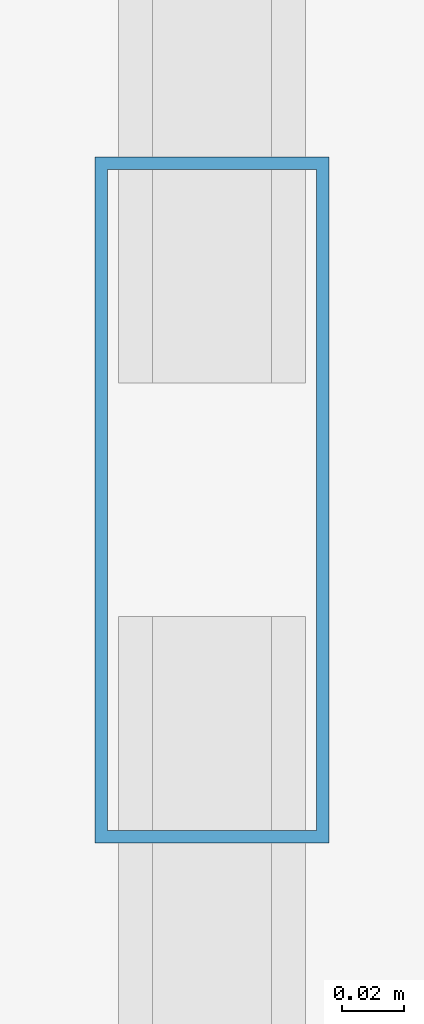
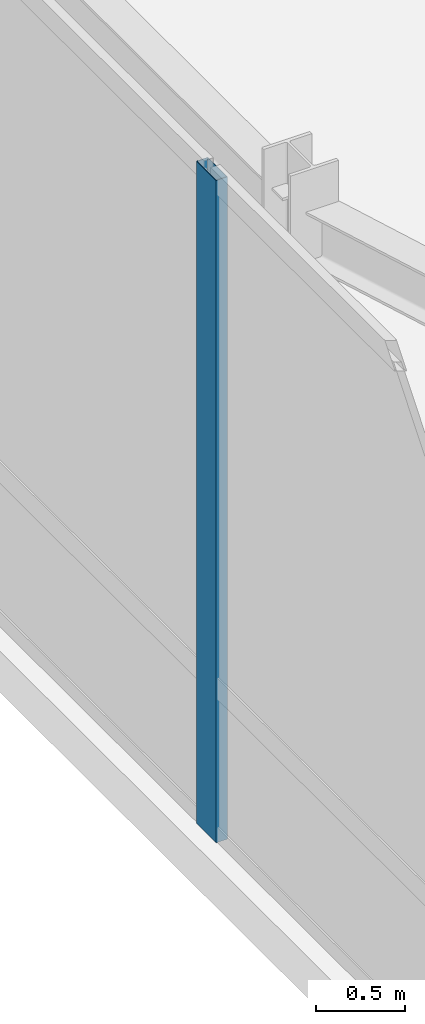
# One storey, part 7 of 21: 1 member, 1 element without a shape of its own.
"""IFC4 building model written with IfcOpenShell, lengths in metres."""

from ifc_helpers import new_model, si_unit, direction, frame, origin, origin_2d, place, context, subcontext, project, spatial, hollow_rectangle, extrude, source, transform, mapped, material, layer, layer_set, material_profile, profile_set, type_object, type_shapes, element, aggregate, save


model = new_model("IFC4")

# Units and contexts
model_context = context("Model", 3, precision=1e-05, world=origin(), true_north=direction((0.0, 1.0)))
body_context = subcontext(model_context, "Body", "Model", "MODEL_VIEW")
ifc_project = project(units=[si_unit("LENGTHUNIT", "METRE"), si_unit("AREAUNIT", "SQUARE_METRE"), si_unit("VOLUMEUNIT", "CUBIC_METRE"), si_unit("PLANEANGLEUNIT", "RADIAN"), si_unit("MASSUNIT", "GRAM", prefix="KILO")], contexts=[model_context])

# Site, building, storey
site_placement = place(None, origin())
site = spatial("IfcSite", under=ifc_project, at=site_placement, CompositionType="ELEMENT")
building_placement = place(site_placement, origin())
building = spatial("IfcBuilding", under=site, at=building_placement, Name="Varnel Quay Broadcast Tower", CompositionType="ELEMENT")
storey_placement = place(building_placement, frame((0.0, 0.0, 300.199951171875)))
storey = spatial("IfcBuildingStorey", under=building, at=storey_placement, Name="L75", CompositionType="ELEMENT", Elevation=300.199951171875)

# Curtain wall, member
ifc_material = material(Name="Anodised Bronze Aluminium 6063-T6", Category="aluminium")
ifc_layer = layer(ifc_material, 0.18994140625, Name="Anodised Bronze Aluminium 6063-T6")
ifc_layer_set = layer_set([ifc_layer], Name="Anodised Bronze Aluminium 6063-T6")
curtain_wall_type = type_object("IfcCurtainWallType", Name="CW_SkyObsHighVis", PredefinedType="NOTDEFINED", material=ifc_layer_set)
curtain_wall_placement = place(storey_placement, origin())
curtain_wall = element("IfcCurtainWall", 1, at=curtain_wall_placement, inside=storey, type_object=curtain_wall_type, Name="L75 West Unitised Curtain Wall", PredefinedType="NOTDEFINED")
ifc_material_profile = material_profile(ifc_material, hollow_rectangle(XDim=0.074951171875, YDim=0.219970703125, WallThickness=0.00390625, at=origin_2d()), Name="ALU75X220X4")
ifc_profile_set = profile_set([ifc_material_profile], Name="Anodised Bronze Aluminium 6063-T6")
member_type = type_object("IfcMemberType", Name="Mull_CWS-05", PredefinedType="MULLION", material=ifc_profile_set)
shared_shape = source(origin(), body_context, "Body", "SweptSolid", [
    extrude(hollow_rectangle(XDim=0.074951171875, YDim=0.219970703125, WallThickness=0.00390625, at=origin_2d()), origin(), (0.0, 0.0, 1.0), 4.52001953125),
])
type_shapes(member_type, [shared_shape])
member_placement = place(storey_placement, frame((12.14990234375, 25.466552734375, 0.0), z_axis=(0.0, 0.0, 1.0), x_axis=(-1.0, 0.0, 0.0)))
member = element("IfcMember", 2, at=member_placement, type_object=member_type, Name="CWS-05 mullion 2", PredefinedType="MULLION", context=body_context, shape_type="MappedRepresentation", body=[
    mapped(shared_shape, transform((0.0, 0.0, 0.0), x_axis=(1.0, 0.0, 0.0), y_axis=(0.0, 1.0, 0.0), z_axis=(0.0, 0.0, 1.0), scale=1.0)),
])
aggregate(curtain_wall, [member])

save(model, "model.ifc")
